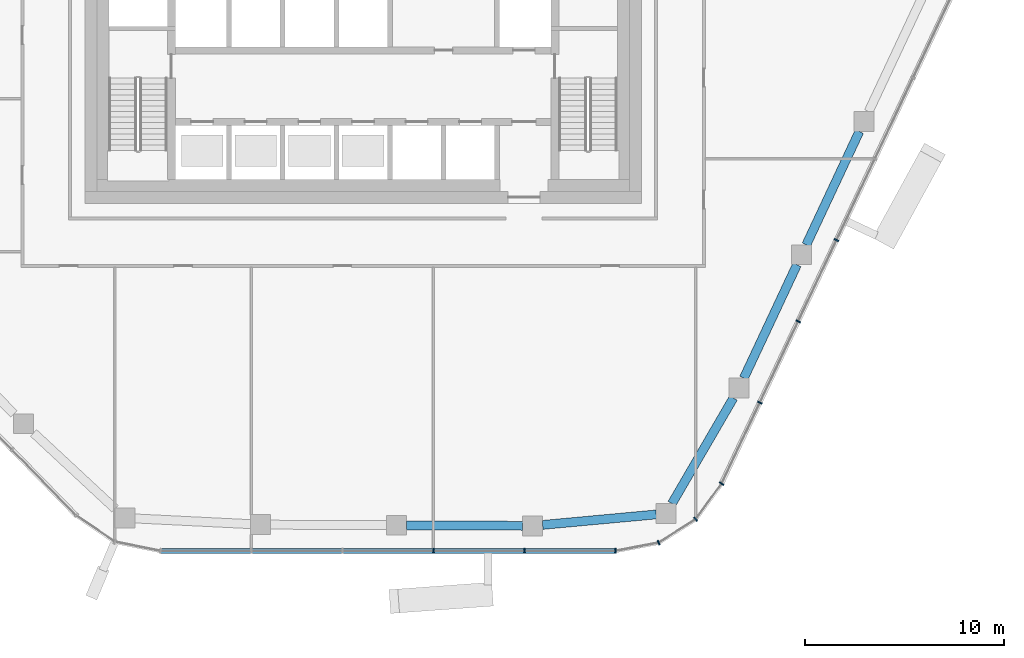
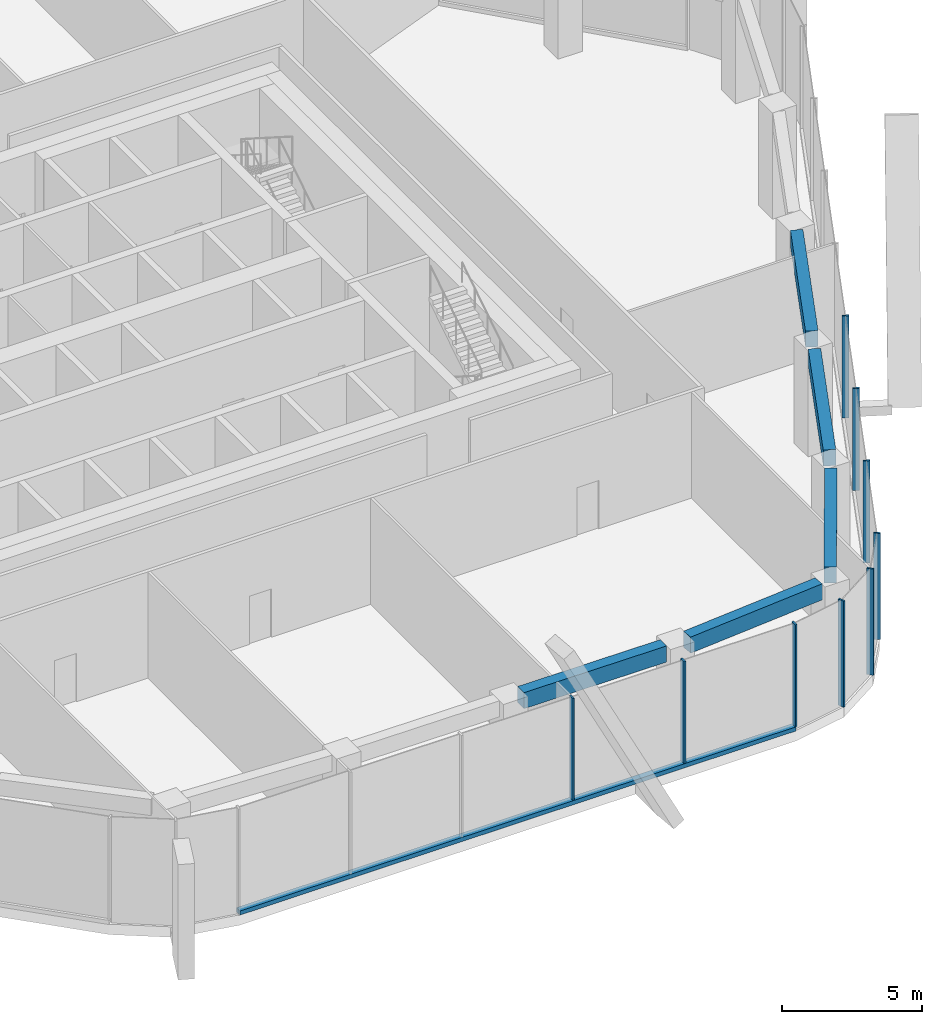
# One storey, part 3 of 20: 10 members, 5 beams, 3 elements without a shape of their own.
"""IFC4 building model written with IfcOpenShell, lengths in metres."""

import ifcopenshell
import ifcopenshell.guid

model = None  # the IFC model being written
_history = None  # IfcOwnerHistory: only IFC2X3 demands one
_inside = {}  # id of a spatial element -> (the spatial element, [elements in it])
_under = {}  # id of a project, library or spatial element -> (it, [spatial elements below it])
_declared = {}  # id of a project -> (the project, [libraries it declares])
_typed = {}  # id of a type object -> (the type object, [elements of that type])
_made_of = {}  # id of a material, layer set ... -> (it, [elements and type objects made of it])


def new_model(schema):
    """Start an empty IFC model of exactly this schema.

    Asked for "IFC4X3", IfcOpenShell would pick the latest addendum, in which some entities
    have other attributes; the version numbers below select the first issue.
    IFC2X3 requires an IfcOwnerHistory on every rooted entity: one is made here for all.
    """
    global model, _history
    if schema == "IFC4X3":
        model = ifcopenshell.file(schema_version=(4, 3, 0, 0))
    else:
        model = ifcopenshell.file(schema=schema)
    _inside.clear()
    _under.clear()
    _declared.clear()
    _typed.clear()
    _made_of.clear()
    _history = None
    if model.schema == "IFC2X3":
        org = make("IfcOrganization", Name="unknown")
        user = make(
            "IfcPersonAndOrganization",
            ThePerson=make("IfcPerson", FamilyName="unknown"),
            TheOrganization=org,
        )
        app = make(
            "IfcApplication",
            ApplicationDeveloper=org,
            Version="unknown",
            ApplicationFullName="unknown",
            ApplicationIdentifier="unknown",
        )
        _history = make(
            "IfcOwnerHistory",
            OwningUser=user,
            OwningApplication=app,
            ChangeAction="ADDED",
            CreationDate=0,
        )
    return model


def make(cls, **values):
    """One entity of the class cls with the attributes given. An attribute that is None is left unset."""
    return model.create_entity(
        cls, **{name: value for name, value in values.items() if value is not None}
    )


def rooted(cls, **values):
    """An entity with a GlobalId (a new one), such as an element, a storey or a relation."""
    return make(cls, GlobalId=ifcopenshell.guid.new(), OwnerHistory=_history, **values)


def si_unit(unit_type, name, prefix=None):
    """IfcSIUnit, for example si_unit("LENGTHUNIT", "METRE", prefix="MILLI")."""
    return make("IfcSIUnit", UnitType=unit_type, Prefix=prefix, Name=name)


def assignment(units):
    """IfcUnitAssignment: the units of a project."""
    return None if units is None else make("IfcUnitAssignment", Units=units)


def point(xyz):
    """IfcCartesianPoint."""
    return None if xyz is None else make("IfcCartesianPoint", Coordinates=xyz)


def direction(xyz):
    """IfcDirection."""
    return None if xyz is None else make("IfcDirection", DirectionRatios=xyz)


def frame(location, z_axis=None, x_axis=None):
    """IfcAxis2Placement3D, a coordinate frame: its origin and axes. An axis left out is left unset."""
    return make(
        "IfcAxis2Placement3D",
        Location=point(location),
        Axis=direction(z_axis),
        RefDirection=direction(x_axis),
    )


def frame_2d(location, x_axis=None):
    """IfcAxis2Placement2D, a coordinate frame in the plane: its origin and x axis."""
    return make(
        "IfcAxis2Placement2D", Location=point(location), RefDirection=direction(x_axis)
    )


def origin():
    """The frame at (0, 0, 0) with its axes left unset."""
    return frame((0.0, 0.0, 0.0))


def origin_2d():
    """The frame at (0, 0) in the plane with its x axis left unset."""
    return frame_2d((0.0, 0.0))


def place(relative_to, where):
    """IfcLocalPlacement: puts the frame where relative to a parent placement (None: the world)."""
    return make(
        "IfcLocalPlacement", PlacementRelTo=relative_to, RelativePlacement=where
    )


def context(
    kind, dimensions, precision=None, world=None, true_north=None, identifier=None
):
    """IfcGeometricRepresentationContext, for example the 3D "Model" context."""
    return make(
        "IfcGeometricRepresentationContext",
        ContextIdentifier=identifier,
        ContextType=kind,
        CoordinateSpaceDimension=dimensions,
        Precision=precision,
        WorldCoordinateSystem=world,
        TrueNorth=true_north,
    )


def subcontext(parent, identifier, kind, view, scale=None):
    """IfcGeometricRepresentationSubContext, for example "Body" below "Model"."""
    return make(
        "IfcGeometricRepresentationSubContext",
        ContextIdentifier=identifier,
        ContextType=kind,
        ParentContext=parent,
        TargetScale=scale,
        TargetView=view,
    )


def project(units=None, contexts=None):
    """IfcProject with its units and contexts."""
    return rooted(
        "IfcProject",
        Name="project",
        RepresentationContexts=contexts,
        UnitsInContext=assignment(units),
    )


def spatial(cls, under=None, at=None, **own):
    """A site, building, storey or space (cls), placed at a placement, below another one or the project."""
    s = rooted(cls, ObjectPlacement=at, **own)
    if under is not None:
        _under.setdefault(under.id(), (under, []))[1].append(s)
    return s


def profile(cls, at=None, kind="AREA", **sizes):
    """A parametric profile (cls). Its sizes go by their IFC names, for example OverallWidth=200.0."""
    return make(cls, ProfileType=kind, Position=at, **sizes)


def rectangle(**sizes):
    """IfcRectangleProfileDef."""
    return profile("IfcRectangleProfileDef", **sizes)


def extrude(swept, where, along, depth):
    """IfcExtrudedAreaSolid: the profile swept, set in the frame where, extruded along a direction by depth."""
    return make(
        "IfcExtrudedAreaSolid",
        SweptArea=swept,
        Position=where,
        ExtrudedDirection=direction(along),
        Depth=depth,
    )


def shape(context_of_items, identifier, shape_type, items):
    """IfcShapeRepresentation: the items that make up one representation, for example the "Body"."""
    return make(
        "IfcShapeRepresentation",
        ContextOfItems=context_of_items,
        RepresentationIdentifier=identifier,
        RepresentationType=shape_type,
        Items=items,
    )


def material(Name=None, Category=None):
    """IfcMaterial."""
    return make("IfcMaterial", Name=Name, Category=Category)


def layer(
    of_material, thickness, ventilated=None, Name=None, Category=None, Priority=None
):
    """IfcMaterialLayer: one layer of a wall or slab, of a material (None: an air gap)."""
    return make(
        "IfcMaterialLayer",
        Material=of_material,
        LayerThickness=thickness,
        IsVentilated=ventilated,
        Name=Name,
        Category=Category,
        Priority=Priority,
    )


def layer_set(layers, Name=None):
    """IfcMaterialLayerSet."""
    return make("IfcMaterialLayerSet", MaterialLayers=layers, LayerSetName=Name)


def material_profile(
    of_material, cross_section, Name=None, Category=None, Priority=None
):
    """IfcMaterialProfile: a cross section and its material."""
    return make(
        "IfcMaterialProfile",
        Name=Name,
        Material=of_material,
        Profile=cross_section,
        Priority=Priority,
        Category=Category,
    )


def profile_set(profiles, Name=None, composite=None):
    """IfcMaterialProfileSet."""
    return make(
        "IfcMaterialProfileSet",
        Name=Name,
        MaterialProfiles=profiles,
        CompositeProfile=composite,
    )


def made_of(thing, what):
    """Note that an element or type object is made of a material, layer set ...; save() writes the relation."""
    if what is not None:
        _made_of.setdefault(what.id(), (what, []))[1].append(thing)
    return thing


def type_object(cls, material=None, **own):
    """A type object (cls), such as IfcWallType, which elements share."""
    return made_of(rooted(cls, **own), material)


def element(
    cls,
    number,
    at=None,
    inside=None,
    cuts=None,
    type_object=None,
    material=None,
    context=None,
    identifier="Body",
    shape_type=None,
    held_by="IfcProductDefinitionShape",
    body=None,
    shapes=None,
    **own,
):
    """One element of the class cls, such as IfcWall. Its Tag is "e" and its number.

    at: its placement. inside: the storey or other place that contains it. cuts: it is an
    opening in that element (IfcRelVoidsElement). A single representation is given by context,
    identifier, shape_type and body (its items); several are given by shapes. held_by: the class
    of the entity that holds the representations. save() writes the other relations.
    """
    e = rooted(cls, Tag="e%d" % number, ObjectPlacement=at, **own)
    if body is not None:
        shapes = [shape(context, identifier, shape_type, body)]
    if shapes is not None:
        e.Representation = make(held_by, Representations=shapes)
    if inside is not None:
        _inside.setdefault(inside.id(), (inside, []))[1].append(e)
    if cuts is not None:
        rooted(
            "IfcRelVoidsElement", RelatingBuildingElement=cuts, RelatedOpeningElement=e
        )
    if type_object is not None:
        _typed.setdefault(type_object.id(), (type_object, []))[1].append(e)
    return made_of(e, material)


def aggregate(whole, parts):
    """IfcRelAggregates: a whole, such as a stair, and the parts it consists of."""
    return rooted("IfcRelAggregates", RelatingObject=whole, RelatedObjects=parts)


def save(model, path):
    """Write the relations noted so far, then the file.

    IfcRelAggregates (storeys below a building ...), IfcRelContainedInSpatialStructure (elements
    in a storey), IfcRelDefinesByType, IfcRelAssociatesMaterial and IfcRelDeclares: one each for
    every whole, place, type object, material and project.
    """
    for whole, parts in _under.values():
        aggregate(whole, parts)
    for where, things in _inside.values():
        rooted(
            "IfcRelContainedInSpatialStructure",
            RelatedElements=things,
            RelatingStructure=where,
        )
    for kind, things in _typed.values():
        rooted("IfcRelDefinesByType", RelatedObjects=things, RelatingType=kind)
    for what, things in _made_of.values():
        rooted("IfcRelAssociatesMaterial", RelatedObjects=things, RelatingMaterial=what)
    for by, libraries in _declared.values():
        rooted("IfcRelDeclares", RelatingContext=by, RelatedDefinitions=libraries)
    model.write(path)


model = new_model("IFC4")

# Units and contexts
model_context = context("Model", 3, precision=1e-05, world=origin(), true_north=direction((0.0, 1.0)))
body_context = subcontext(model_context, "Body", "Model", "MODEL_VIEW")
ifc_project = project(units=[si_unit("LENGTHUNIT", "METRE"), si_unit("AREAUNIT", "SQUARE_METRE"), si_unit("VOLUMEUNIT", "CUBIC_METRE"), si_unit("PLANEANGLEUNIT", "RADIAN"), si_unit("MASSUNIT", "GRAM", prefix="KILO")], contexts=[model_context])

# Site, building, storey
site_placement = place(None, origin())
site = spatial("IfcSite", under=ifc_project, at=site_placement, CompositionType="ELEMENT")
building_placement = place(site_placement, origin())
building = spatial("IfcBuilding", under=site, at=building_placement, Name="Dongbaek Canopy Tower", CompositionType="ELEMENT")
storey_placement = place(building_placement, frame((0.0, 0.0, 289.199951171875)))
storey = spatial("IfcBuildingStorey", under=building, at=storey_placement, Name="L61", CompositionType="ELEMENT", Elevation=289.199951171875)

# Curtain wall, members
ifc_material_1 = material(Name="Aluminium 6063-T6 pale anodised", Category="aluminium")
ifc_layer = layer(ifc_material_1, 0.25)
ifc_layer_set = layer_set([ifc_layer], Name="CW-4 sky-lobby curtain wall")
curtain_wall_type = type_object("IfcCurtainWallType", Name="CW-4 sky-lobby curtain wall", PredefinedType="NOTDEFINED", material=ifc_layer_set)
curtain_wall_1_placement = place(storey_placement, origin())
curtain_wall_1 = element("IfcCurtainWall", 1, at=curtain_wall_1_placement, inside=storey, type_object=curtain_wall_type, Name="CW-4 curtain wall F4.1", PredefinedType="NOTDEFINED")
ifc_material_2 = material(Name="Aluminium 6063-T6 pale anodised", Category="aluminium")
ifc_material_profile_1 = material_profile(ifc_material_2, rectangle(XDim=0.25, YDim=0.070068359375, at=origin_2d()), Name="CW-4 mullion 70 x 250")
ifc_profile_set_1 = profile_set([ifc_material_profile_1], Name="Aluminium 6063-T6 pale anodised")
member_type_1 = type_object("IfcMemberType", Name="CW-4 mullion 70 x 250", PredefinedType="MULLION", material=ifc_profile_set_1)
member_1_placement = place(storey_placement, frame((3.541748046875, -28.4921875, 0.179931640625), z_axis=(0.0, 0.0, 1.0), x_axis=(2.3341283e-05, -0.999999999728, 0.0)))
member_1 = element("IfcMember", 2, at=member_1_placement, type_object=member_type_1, Name="CW-4 mullion F4.1.4", PredefinedType="MULLION", context=body_context, shape_type="SweptSolid", body=[
    extrude(rectangle(XDim=0.25, YDim=0.070068359375, at=origin_2d()), origin(), (0.0, 0.0, 1.0), 4.440185546875),
])
member_2_placement = place(storey_placement, frame((8.123046875, -28.491943359375, 0.179931640625), z_axis=(0.0, 0.0, 1.0), x_axis=(2.3341283e-05, -0.999999999728, 0.0)))
member_2 = element("IfcMember", 3, at=member_2_placement, type_object=member_type_1, Name="CW-4 mullion F4.1.5", PredefinedType="MULLION", context=body_context, shape_type="SweptSolid", body=[
    extrude(rectangle(XDim=0.25, YDim=0.070068359375, at=origin_2d()), origin(), (0.0, 0.0, 1.0), 4.440185546875),
])
member_3_placement = place(storey_placement, frame((12.69482421875, -28.491943359375, 0.179931640625), z_axis=(0.0, 0.0, 1.0), x_axis=(2.3341283e-05, -0.999999999728, 0.0)))
member_3 = element("IfcMember", 4, at=member_3_placement, type_object=member_type_1, Name="CW-4 mullion F4.1.6", PredefinedType="MULLION", context=body_context, shape_type="SweptSolid", body=[
    extrude(rectangle(XDim=0.25, YDim=0.070068359375, at=origin_2d()), origin(), (0.0, 0.0, 1.0), 4.440185546875),
])

curtain_wall_2_placement = place(storey_placement, origin())
curtain_wall_2 = element("IfcCurtainWall", 5, at=curtain_wall_2_placement, inside=storey, type_object=curtain_wall_type, Name="CW-4 curtain wall K5.1", PredefinedType="NOTDEFINED")
member_4_placement = place(storey_placement, frame((14.87353515625, -28.07666015625, 0.0), z_axis=(0.0, 0.0, 1.0), x_axis=(0.367807569705, -0.929901925833, 0.0)))
member_4 = element("IfcMember", 6, at=member_4_placement, type_object=member_type_1, Name="CW-4 mullion K5.1.2", PredefinedType="MULLION", context=body_context, shape_type="SweptSolid", body=[
    extrude(rectangle(XDim=0.25, YDim=0.070068359375, at=origin_2d()), origin(), (0.0, 0.0, 1.0), 4.6201171875),
])
member_5_placement = place(storey_placement, frame((16.73876953125, -26.894287109375, 0.0), z_axis=(0.0, 0.0, 1.0), x_axis=(0.684032908657, -0.729451149752, 0.0)))
member_5 = element("IfcMember", 7, at=member_5_placement, type_object=member_type_1, Name="CW-4 mullion K5.1.3", PredefinedType="MULLION", context=body_context, shape_type="SweptSolid", body=[
    extrude(rectangle(XDim=0.25, YDim=0.070068359375, at=origin_2d()), origin(), (0.0, 0.0, 1.0), 4.6201171875),
])
member_6_placement = place(storey_placement, frame((18.0439453125, -25.10107421875, 0.0), z_axis=(0.0, 0.0, 1.0), x_axis=(0.808495155269, -0.588502832539, 0.0)))
member_6 = element("IfcMember", 8, at=member_6_placement, type_object=member_type_1, Name="CW-4 mullion K5.1.4", PredefinedType="MULLION", context=body_context, shape_type="SweptSolid", body=[
    extrude(rectangle(XDim=0.25, YDim=0.070068359375, at=origin_2d()), origin(), (0.0, 0.0, 1.0), 4.6201171875),
])
aggregate(curtain_wall_2, [member_4, member_5, member_6])

curtain_wall_3_placement = place(storey_placement, origin())
curtain_wall_3 = element("IfcCurtainWall", 9, at=curtain_wall_3_placement, inside=storey, type_object=curtain_wall_type, Name="CW-4 curtain wall F5.1", PredefinedType="NOTDEFINED")
member_7_placement = place(storey_placement, frame((19.96826171875, -21.023681640625, 0.179931640625), z_axis=(0.0, 0.0, 1.0), x_axis=(0.904371213134, -0.426746656524, 0.0)))
member_7 = element("IfcMember", 10, at=member_7_placement, type_object=member_type_1, Name="CW-4 mullion F5.1.2", PredefinedType="MULLION", context=body_context, shape_type="SweptSolid", body=[
    extrude(rectangle(XDim=0.25, YDim=0.070068359375, at=origin_2d()), origin(), (0.0, 0.0, 1.0), 4.440185546875),
])
member_8_placement = place(storey_placement, frame((21.896240234375, -16.9375, 0.179931640625), z_axis=(0.0, 0.0, 1.0), x_axis=(0.904371213134, -0.426746656524, 0.0)))
member_8 = element("IfcMember", 11, at=member_8_placement, type_object=member_type_1, Name="CW-4 mullion F5.1.3", PredefinedType="MULLION", context=body_context, shape_type="SweptSolid", body=[
    extrude(rectangle(XDim=0.25, YDim=0.070068359375, at=origin_2d()), origin(), (0.0, 0.0, 1.0), 4.440185546875),
])
member_9_placement = place(storey_placement, frame((23.824462890625, -12.851318359375, 0.179931640625), z_axis=(0.0, 0.0, 1.0), x_axis=(0.904371213134, -0.426746656524, 0.0)))
member_9 = element("IfcMember", 12, at=member_9_placement, type_object=member_type_1, Name="CW-4 mullion F5.1.4", PredefinedType="MULLION", context=body_context, shape_type="SweptSolid", body=[
    extrude(rectangle(XDim=0.25, YDim=0.070068359375, at=origin_2d()), origin(), (0.0, 0.0, 1.0), 4.440185546875),
])
aggregate(curtain_wall_3, [member_7, member_8, member_9])

# Member
ifc_material_3 = material(Name="Aluminium 6063-T6 pale anodised", Category="aluminium")
ifc_material_profile_2 = material_profile(ifc_material_3, rectangle(XDim=0.25, YDim=0.179931640625, at=origin_2d()), Name="CW-4 transom 180 x 250")
ifc_profile_set_2 = profile_set([ifc_material_profile_2], Name="Aluminium 6063-T6 pale anodised")
member_type_2 = type_object("IfcMemberType", Name="CW-4 transom 180 x 250", PredefinedType="USERDEFINED", material=ifc_profile_set_2)
member_10_placement = place(storey_placement, frame((-10.1923828125, -28.492431640625, 0.090087890625), z_axis=(0.999999999772, 2.1334244e-05, 0.0), x_axis=(-2.1334244e-05, 0.999999999772, 0.0)))
member_10 = element("IfcMember", 13, at=member_10_placement, type_object=member_type_2, Name="CW-4 transom F4.1.1", ObjectType="TRANSOM", PredefinedType="USERDEFINED", context=body_context, shape_type="SweptSolid", body=[
    extrude(rectangle(XDim=0.25, YDim=0.179931640625, at=origin_2d()), origin(), (0.0, 0.0, 1.0), 22.88720703125),
])

aggregate(curtain_wall_1, [member_1, member_2, member_3, member_10])

# Beams
ifc_material_4 = material(Name="Concrete C60", Category="concrete")
ifc_material_profile_3 = material_profile(ifc_material_4, rectangle(XDim=0.449951171875, YDim=0.699951171875, at=origin_2d()), Name="RC EDGE BEAM 450x700 C60")
ifc_profile_set_3 = profile_set([ifc_material_profile_3], Name="Concrete C60")
beam_type = type_object("IfcBeamType", Name="RC EDGE BEAM 450x700 C60", PredefinedType="BEAM", material=ifc_profile_set_3)
beam_1_placement = place(storey_placement, frame((14.751953125, -26.653076171875, 4.27001953125), z_axis=(-0.995766439544, -0.091919518479, 0.0), x_axis=(0.091919518479, -0.995766439544, 0.0)))
element("IfcBeam", 14, at=beam_1_placement, inside=storey, type_object=beam_type, Name="EDGEBEAM:L61:00", PredefinedType="BEAM", context=body_context, shape_type="SweptSolid", body=[
    extrude(rectangle(XDim=0.449951171875, YDim=0.699951171875, at=origin_2d()), origin(), (0.0, 0.0, 1.0), 5.742431640625),
])
beam_2_placement = place(storey_placement, frame((8.033935546875, -27.224853515625, 4.27001953125), z_axis=(-0.999990401851, 0.004381347473, 0.0), x_axis=(-0.004381347473, -0.999990401851, 0.0)))
element("IfcBeam", 15, at=beam_2_placement, inside=storey, type_object=beam_type, Name="EDGEBEAM:L61:01", PredefinedType="BEAM", context=body_context, shape_type="SweptSolid", body=[
    extrude(rectangle(XDim=0.449951171875, YDim=0.699951171875, at=origin_2d()), origin(), (0.0, 0.0, 1.0), 5.850830078125),
])
beam_3_placement = place(storey_placement, frame((24.975830078125, -7.37890625, 4.27001953125), z_axis=(-0.424108398663, -0.905611432229, 0.0), x_axis=(0.905611432229, -0.424108398663, 0.0)))
element("IfcBeam", 16, at=beam_3_placement, inside=storey, type_object=beam_type, Name="EDGEBEAM:L61:23", PredefinedType="BEAM", context=body_context, shape_type="SweptSolid", body=[
    extrude(rectangle(XDim=0.449951171875, YDim=0.699951171875, at=origin_2d()), origin(), (0.0, 0.0, 1.0), 6.303955078125),
])
beam_4_placement = place(storey_placement, frame((21.833740234375, -14.087890625, 4.27001953125), z_axis=(-0.424294949226, -0.905524044993, 0.0), x_axis=(0.905524044993, -0.424294949226, 0.0)))
element("IfcBeam", 17, at=beam_4_placement, inside=storey, type_object=beam_type, Name="EDGEBEAM:L61:24", PredefinedType="BEAM", context=body_context, shape_type="SweptSolid", body=[
    extrude(rectangle(XDim=0.449951171875, YDim=0.699951171875, at=origin_2d()), origin(), (0.0, 0.0, 1.0), 6.303466796875),
])
beam_5_placement = place(storey_placement, frame((18.634033203125, -20.7958984375, 4.27001953125), z_axis=(-0.503016078482, -0.864277053258, 0.0), x_axis=(0.864277053258, -0.503016078482, 0.0)))
element("IfcBeam", 18, at=beam_5_placement, inside=storey, type_object=beam_type, Name="EDGEBEAM:L61:25", PredefinedType="BEAM", context=body_context, shape_type="SweptSolid", body=[
    extrude(rectangle(XDim=0.449951171875, YDim=0.699951171875, at=origin_2d()), origin(), (0.0, 0.0, 1.0), 6.14501953125),
])

save(model, "model.ifc")
